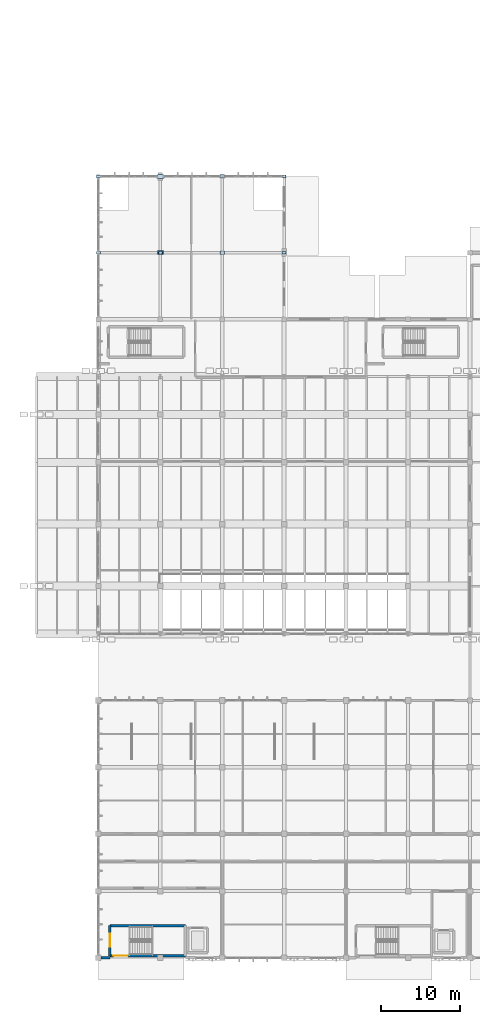
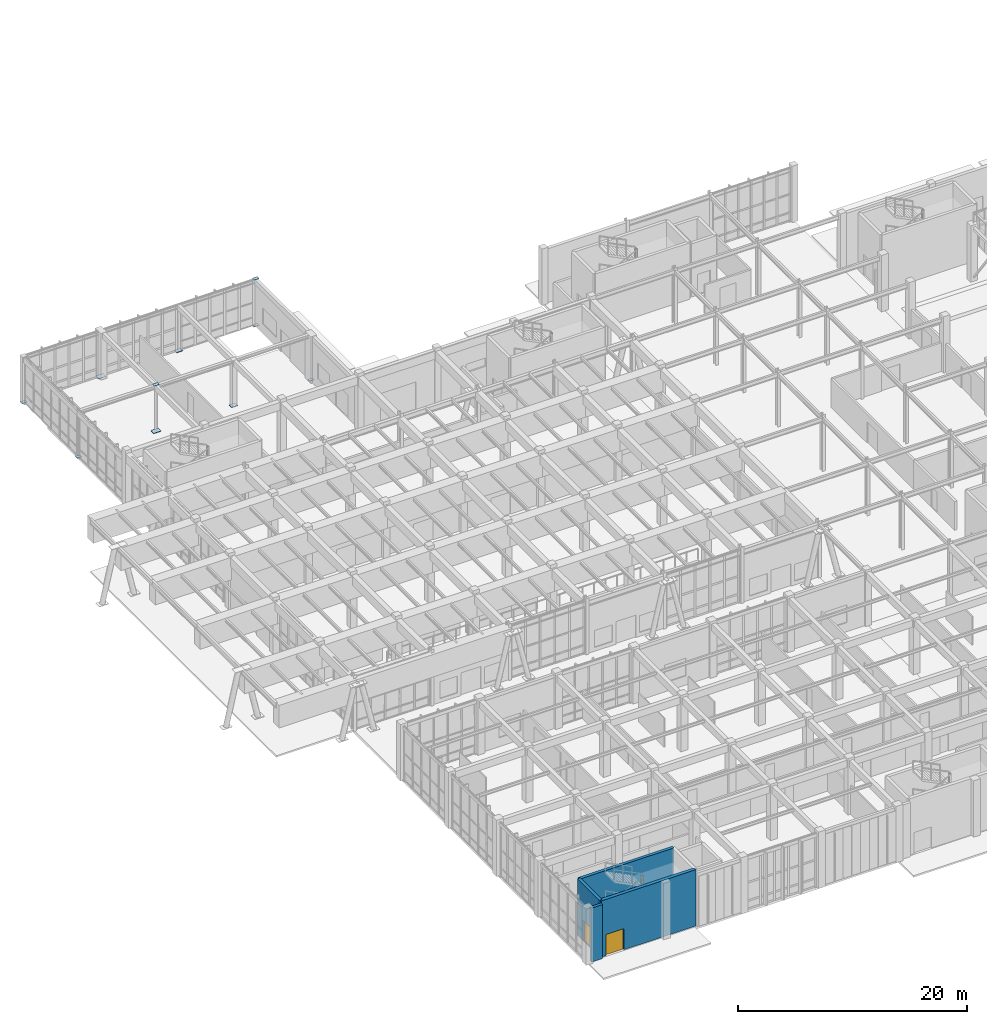
# One storey, part 73 of 110: 10 plates, 4 walls, 2 doors, 2 openings.
"""IFC4 building model written with IfcOpenShell, lengths in metres."""

from ifc_helpers import new_model, si_unit, direction, frame, frame_2d, origin, origin_2d, place, context, subcontext, project, spatial, rectangle, extrude, material, layer, layer_set, type_object, element, fill, save


model = new_model("IFC4")

# Units and contexts
model_context = context("Model", 3, precision=1e-05, world=origin(), true_north=direction((0.0, 1.0)))
body_context = subcontext(model_context, "Body", "Model", "MODEL_VIEW")
ifc_project = project(units=[si_unit("LENGTHUNIT", "METRE"), si_unit("AREAUNIT", "SQUARE_METRE"), si_unit("VOLUMEUNIT", "CUBIC_METRE"), si_unit("PLANEANGLEUNIT", "RADIAN"), si_unit("MASSUNIT", "GRAM", prefix="KILO")], contexts=[model_context])

# Site, building, storey
site_placement = place(None, origin())
site = spatial("IfcSite", under=ifc_project, at=site_placement, CompositionType="ELEMENT")
building_placement = place(site_placement, origin())
building = spatial("IfcBuilding", under=site, at=building_placement, Name="Tizgana Railside Sports Hall", CompositionType="ELEMENT")
storey_placement = place(building_placement, origin())
storey = spatial("IfcBuildingStorey", under=building, at=storey_placement, Name="L00", CompositionType="ELEMENT", Elevation=0.0)

# Plates
ifc_material_1 = material(Name="Steel S355J2", Category="steel")
ifc_layer_1 = layer(ifc_material_1, 0.02490234375, Name="Steel S355J2")
ifc_layer_set_1 = layer_set([ifc_layer_1], Name="Steel S355J2")
plate_type_1 = type_object("IfcPlateType", Name="Pavilion Post Base Plate 500x340x25", PredefinedType="USERDEFINED", material=ifc_layer_set_1)
for number, where, z_axis, x_axis, name in (
    (1, (7.800048828125, 88.800048828125, 0.0), (0.0, 0.0, 1.0), (1.0, 0.0, 0.0), "L00 PLT-0028"),
    (2, (7.800048828125, 98.39990234375, 0.0), (0.0, 0.0, 1.0), (1.0, 0.0, 0.0), "L00 PLT-0029"),
    (3, (15.60009765625, 88.800048828125, 4.95751953125), (0.0, 0.0, 1.0), (1.0, 0.0, 0.0), "L00 NW Column Cap Plate"),
    (4, (31.199951171875, 88.800048828125, 0.0), (0.0, 0.0, 1.0), (1.0, 0.0, 0.0), "L00 PLT-0034"),
    (5, (31.199951171875, 98.39990234375, 4.95751953125), (0.0, 0.0, 1.0), (1.0, 0.0, 0.0), "L00 NW Column Cap Plate"),
    (6, (31.199951171875, 98.39990234375, 0.0), (0.0, 0.0, 1.0), (1.0, 0.0, 0.0), "L00 PLT-0035"),
):
    element("IfcPlate", number, at=place(storey_placement, frame(where, z_axis=z_axis, x_axis=x_axis)), inside=storey, type_object=plate_type_1, Name=name, ObjectType="BASE_PLATE", PredefinedType="USERDEFINED", context=body_context, shape_type="SweptSolid", body=[
        extrude(rectangle(XDim=0.5, YDim=0.340087890625, at=origin_2d()), origin(), (0.0, 0.0, 1.0), 0.02490234375),
    ])
ifc_layer_2 = layer(ifc_material_1, 0.034912109375, Name="Steel S355J2")
ifc_layer_set_2 = layer_set([ifc_layer_2], Name="Steel S355J2")
plate_type_2 = type_object("IfcPlateType", Name="Perimeter Column Base Plate 750x520x35", PredefinedType="USERDEFINED", material=ifc_layer_set_2)
for number, where, z_axis, x_axis, name in (
    (7, (15.60009765625, 88.800048828125, 0.0), (0.0, 0.0, 1.0), (1.0, 0.0, 0.0), "L00 PLT-0030"),
    (8, (15.60009765625, 98.39990234375, 0.0), (0.0, 0.0, 1.0), (1.0, 0.0, 0.0), "L00 PLT-0031"),
):
    element("IfcPlate", number, at=place(storey_placement, frame(where, z_axis=z_axis, x_axis=x_axis)), inside=storey, type_object=plate_type_2, Name=name, ObjectType="BASE_PLATE", PredefinedType="USERDEFINED", context=body_context, shape_type="SweptSolid", body=[
        extrude(rectangle(XDim=0.75, YDim=0.52001953125, at=origin_2d()), origin(), (0.0, 0.0, 1.0), 0.034912109375),
    ])
ifc_layer_3 = layer(ifc_material_1, 0.030029296875, Name="Steel S355J2")
ifc_layer_set_3 = layer_set([ifc_layer_3], Name="Steel S355J2")
plate_type_3 = type_object("IfcPlateType", Name="Studio Steel Base Plate 620x440x30", PredefinedType="USERDEFINED", material=ifc_layer_set_3)
for number, where, z_axis, x_axis, name in (
    (9, (23.39990234375, 88.800048828125, 0.0), (0.0, 0.0, 1.0), (1.0, 0.0, 0.0), "L00 PLT-0032"),
    (10, (23.39990234375, 98.39990234375, 0.0), (0.0, 0.0, 1.0), (1.0, 0.0, 0.0), "L00 PLT-0033"),
):
    element("IfcPlate", number, at=place(storey_placement, frame(where, z_axis=z_axis, x_axis=x_axis)), inside=storey, type_object=plate_type_3, Name=name, ObjectType="BASE_PLATE", PredefinedType="USERDEFINED", context=body_context, shape_type="SweptSolid", body=[
        extrude(rectangle(XDim=0.6201171875, YDim=0.43994140625, at=origin_2d()), origin(), (0.0, 0.0, 1.0), 0.030029296875),
    ])

# Wall
ifc_material_2 = material(Name="Concrete C40/50", Category="concrete")
ifc_layer_4 = layer(ifc_material_2, 0.300048828125, Name="Concrete C40/50")
ifc_layer_set_4 = layer_set([ifc_layer_4], Name="Concrete C40/50")
wall_type_1 = type_object("IfcWallType", Name="Core Shear Wall 300", PredefinedType="SHEAR", material=ifc_layer_set_4)
wall_1_placement = place(storey_placement, frame((9.25, 4.050048828125, 0.0), z_axis=(0.0, 0.0, 1.0), x_axis=(1.0, 0.0, 0.0)))
element("IfcWall", 11, at=wall_1_placement, inside=storey, type_object=wall_type_1, Name="L00 C1 Shaft Wall N", PredefinedType="SHEAR", context=body_context, shape_type="SweptSolid", body=[
    extrude(rectangle(XDim=9.5, YDim=0.300048828125, at=frame_2d((4.75, 0.0))), origin(), (0.0, 0.0, 1.0), 6.0),
])

# Wall, opening, door
wall_2_placement = place(storey_placement, frame((9.25, 0.25, 0.0), z_axis=(0.0, 0.0, 1.0), x_axis=(0.0, 1.0, 0.0)))
wall_2 = element("IfcWall", 12, at=wall_2_placement, inside=storey, type_object=wall_type_1, Name="L00 C1 Shaft Wall W", PredefinedType="SHEAR", context=body_context, shape_type="SweptSolid", body=[
    extrude(rectangle(XDim=3.800048828125, YDim=0.300048828125, at=frame_2d((1.89990234375, 0.0))), origin(), (0.0, 0.0, 1.0), 6.0),
])
opening_1_placement = place(wall_2_placement, frame((1.14990234375, 0.0, 0.0)))
opening_1 = element("IfcOpeningElement", 13, at=opening_1_placement, cuts=wall_2, Name="Opening D-0037", PredefinedType="OPENING", context=body_context, shape_type="SweptSolid", body=[
    extrude(rectangle(XDim=1.64990234375, YDim=2.199951171875, at=frame_2d((0.824951171875, 1.10009765625))), frame((0.0, 0.159912109375, 0.0), z_axis=(0.0, -1.0, 0.0), x_axis=(1.0, 0.0, 0.0)), (0.0, 0.0, 1.0), 0.320068359375),
])
ifc_material_3 = material(Name="Timber fire leaf", Category="wood")
door_type_1 = type_object("IfcDoorType", Name="Stair Core Double Fire Door 1650x2200", OperationType="NOTDEFINED", PredefinedType="DOOR", material=ifc_material_3)
door_1_placement = place(opening_1_placement, origin())
door_1 = element("IfcDoor", 14, at=door_1_placement, inside=storey, type_object=door_type_1, Name="L00 Door D-0037", OperationType="DOUBLE_DOOR_SINGLE_SWING", OverallHeight=2.199951171875, OverallWidth=1.64990234375, PredefinedType="DOOR", context=body_context, shape_type="SweptSolid", body=[
    extrude(rectangle(XDim=1.64990234375, YDim=2.199951171875, at=frame_2d((0.824951171875, 1.10009765625))), frame((0.0, 0.02490234375, 0.0), z_axis=(0.0, -1.0, 0.0), x_axis=(1.0, 0.0, 0.0)), (0.0, 0.0, 1.0), 0.050048828125),
])
fill(opening_1, door_1)

ifc_material_4 = material(Name="Concrete C35/45", Category="concrete")
ifc_layer_5 = layer(ifc_material_4, 0.340087890625, Name="Concrete C35/45")
ifc_layer_set_5 = layer_set([ifc_layer_5], Name="Concrete C35/45")
wall_type_2 = type_object("IfcWallType", Name="Exterior Insulated Concrete Wall 340", PredefinedType="STANDARD", material=ifc_layer_set_5)
wall_3_placement = place(storey_placement, frame((18.75, 0.25, 0.0), z_axis=(0.0, 0.0, 1.0), x_axis=(-1.0, 0.0, 0.0)))
wall_3 = element("IfcWall", 15, at=wall_3_placement, inside=storey, type_object=wall_type_2, Name="L00 C1 Shaft Wall S", PredefinedType="STANDARD", context=body_context, shape_type="SweptSolid", body=[
    extrude(rectangle(XDim=9.5, YDim=0.340087890625, at=frame_2d((4.75, 0.0))), origin(), (0.0, 0.0, 1.0), 6.0),
])
opening_2_placement = place(wall_3_placement, frame((7.25, 0.0, 0.0)))
opening_2 = element("IfcOpeningElement", 16, at=opening_2_placement, cuts=wall_3, Name="Opening D-0038", PredefinedType="OPENING", context=body_context, shape_type="SweptSolid", body=[
    extrude(rectangle(XDim=1.800048828125, YDim=2.25, at=frame_2d((0.89990234375, 1.125))), frame((0.0, 0.179931640625, 0.0), z_axis=(0.0, -1.0, 0.0), x_axis=(1.0, 0.0, 0.0)), (0.0, 0.0, 1.0), 0.360107421875),
])
ifc_material_5 = material(Name="Galvanised steel sheet", Category="steel")
door_type_2 = type_object("IfcDoorType", Name="Protected Stair Final Exit Door 1800x2250", OperationType="NOTDEFINED", PredefinedType="DOOR", material=ifc_material_5)
door_2_placement = place(opening_2_placement, origin())
door_2 = element("IfcDoor", 17, at=door_2_placement, inside=storey, type_object=door_type_2, Name="L00 Core Exit Door D-0038", OperationType="DOUBLE_DOOR_SINGLE_SWING", OverallHeight=2.25, OverallWidth=1.800048828125, PredefinedType="DOOR", context=body_context, shape_type="SweptSolid", body=[
    extrude(rectangle(XDim=1.800048828125, YDim=2.25, at=frame_2d((0.89990234375, 1.125))), frame((0.0, 0.02490234375, 0.0), z_axis=(0.0, -1.0, 0.0), x_axis=(1.0, 0.0, 0.0)), (0.0, 0.0, 1.0), 0.050048828125),
])
fill(opening_2, door_2)

# Wall
ifc_material_6 = material(Name="Precast concrete C40/50", Category="concrete")
ifc_layer_6 = layer(ifc_material_6, 0.27001953125, Name="Precast concrete C40/50")
ifc_layer_set_6 = layer_set([ifc_layer_6], Name="Precast concrete C40/50")
wall_type_3 = type_object("IfcWallType", Name="Exterior Studio Facade Wall 270", PredefinedType="STANDARD", material=ifc_layer_set_6)
wall_4_placement = place(storey_placement, frame((9.2451171875, 0.0, 0.0), z_axis=(0.0, 0.0, 1.0), x_axis=(-1.0, 0.0, 0.0)))
element("IfcWall", 18, at=wall_4_placement, inside=storey, type_object=wall_type_3, Name="L00 Exterior Wall EWAL-0070", PredefinedType="STANDARD", context=body_context, shape_type="SweptSolid", body=[
    extrude(rectangle(XDim=1.14501953125, YDim=0.27001953125, at=frame_2d((0.572509765625, 0.0))), origin(), (0.0, 0.0, 1.0), 5.75),
])

save(model, "model.ifc")
